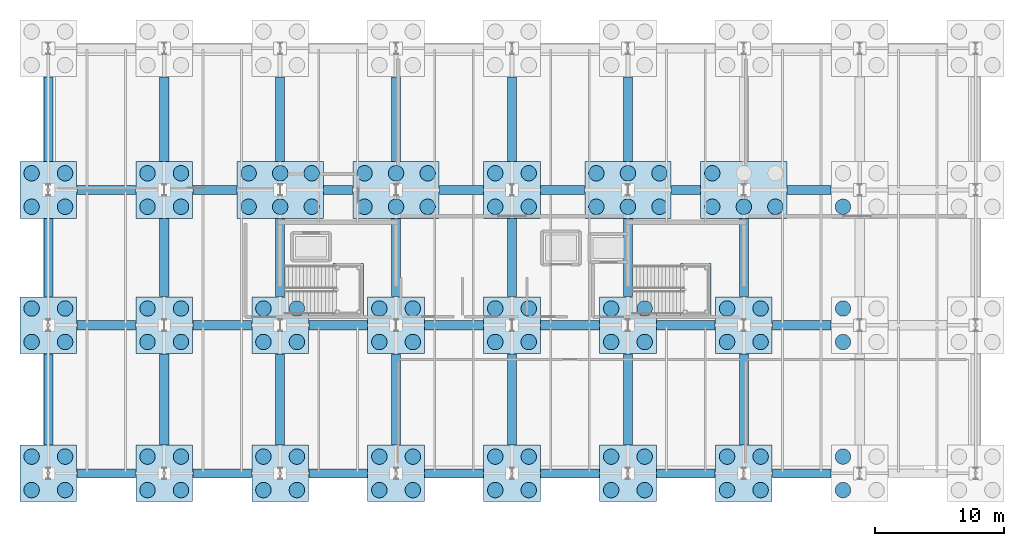
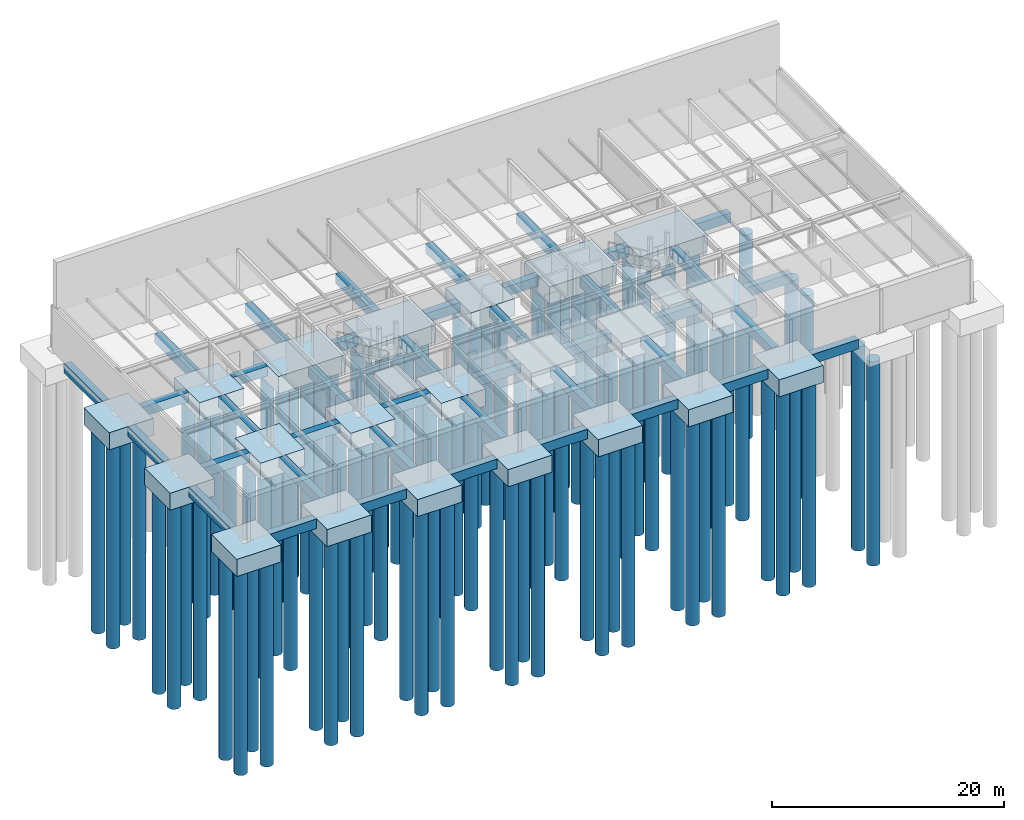
# One storey, part 1 of 19: 95 piles, 64 footings.
"""IFC4 building model written with IfcOpenShell, lengths in metres."""

from ifc_helpers import new_model, si_unit, direction, frame, origin, origin_2d, place, context, subcontext, project, spatial, rectangle, circle, extrude, material, material_profile, profile_set, type_object, element, save


model = new_model("IFC4")

# Units and contexts
model_context = context("Model", 3, precision=1e-05, world=origin(), true_north=direction((0.0, 1.0)))
body_context = subcontext(model_context, "Body", "Model", "MODEL_VIEW")
ifc_project = project(units=[si_unit("LENGTHUNIT", "METRE"), si_unit("AREAUNIT", "SQUARE_METRE"), si_unit("VOLUMEUNIT", "CUBIC_METRE"), si_unit("PLANEANGLEUNIT", "RADIAN"), si_unit("MASSUNIT", "GRAM", prefix="KILO")], contexts=[model_context])

# Site, building, storey
site_placement = place(None, origin())
site = spatial("IfcSite", under=ifc_project, at=site_placement, CompositionType="ELEMENT")
building_placement = place(site_placement, origin())
building = spatial("IfcBuilding", under=site, at=building_placement, Name="Marlcrest Central Station", CompositionType="ELEMENT")
storey_placement = place(building_placement, frame((0.0, 0.0, -4.800048828125)))
storey = spatial("IfcBuildingStorey", under=building, at=storey_placement, Name="B1", CompositionType="ELEMENT", Elevation=-4.800048828125)

# Piles
ifc_material_1 = material(Name="Concrete C35/45", Category="concrete")
ifc_material_profile = material_profile(ifc_material_1, circle(Radius=0.60009765625, at=origin_2d()), Name="PILE D1200")
ifc_profile_set = profile_set([ifc_material_profile], Name="Concrete C35/45")
pile_type = type_object("IfcPileType", Name="BP-04", PredefinedType="BORED", material=ifc_profile_set)
for number, where, z_axis, x_axis, name in (
    (1, (-1.300048828125, 97.699951171875, -1.699951171875), (0.0, 0.0, -1.0), (1.0, 0.0, 0.0), "pile-BP-04-0001"),
    (2, (1.300048828125, 97.699951171875, -1.699951171875), (0.0, 0.0, -1.0), (1.0, 0.0, 0.0), "pile-BP-04-0002"),
    (3, (-1.300048828125, 100.300048828125, -1.699951171875), (0.0, 0.0, -1.0), (1.0, 0.0, 0.0), "pile-BP-04-0003"),
    (4, (1.300048828125, 100.300048828125, -1.699951171875), (0.0, 0.0, -1.0), (1.0, 0.0, 0.0), "pile-BP-04-0004"),
    (5, (-1.300048828125, 109.199951171875, -1.699951171875), (0.0, 0.0, -1.0), (1.0, 0.0, 0.0), "pile-BP-04-0005"),
    (6, (1.300048828125, 109.199951171875, -1.699951171875), (0.0, 0.0, -1.0), (1.0, 0.0, 0.0), "pile-BP-04-0006"),
    (7, (-1.300048828125, 111.800048828125, -1.699951171875), (0.0, 0.0, -1.0), (1.0, 0.0, 0.0), "pile-BP-04-0007"),
    (8, (1.300048828125, 111.800048828125, -1.699951171875), (0.0, 0.0, -1.0), (1.0, 0.0, 0.0), "pile-BP-04-0008"),
    (9, (-1.300048828125, 119.699951171875, -1.699951171875), (0.0, 0.0, -1.0), (1.0, 0.0, 0.0), "pile-BP-04-0009"),
    (10, (1.300048828125, 119.699951171875, -1.699951171875), (0.0, 0.0, -1.0), (1.0, 0.0, 0.0), "pile-BP-04-0010"),
    (11, (-1.300048828125, 122.300048828125, -1.699951171875), (0.0, 0.0, -1.0), (1.0, 0.0, 0.0), "pile-BP-04-0011"),
    (12, (1.300048828125, 122.300048828125, -1.699951171875), (0.0, 0.0, -1.0), (1.0, 0.0, 0.0), "pile-BP-04-0012"),
    (13, (7.699951171875, 97.699951171875, -1.699951171875), (0.0, 0.0, -1.0), (1.0, 0.0, 0.0), "pile-BP-04-0017"),
    (14, (10.300048828125, 97.699951171875, -1.699951171875), (0.0, 0.0, -1.0), (1.0, 0.0, 0.0), "pile-BP-04-0018"),
    (15, (7.699951171875, 100.300048828125, -1.699951171875), (0.0, 0.0, -1.0), (1.0, 0.0, 0.0), "pile-BP-04-0019"),
    (16, (10.300048828125, 100.300048828125, -1.699951171875), (0.0, 0.0, -1.0), (1.0, 0.0, 0.0), "pile-BP-04-0020"),
    (17, (7.699951171875, 109.199951171875, -1.699951171875), (0.0, 0.0, -1.0), (1.0, 0.0, 0.0), "pile-BP-04-0021"),
    (18, (10.300048828125, 109.199951171875, -1.699951171875), (0.0, 0.0, -1.0), (1.0, 0.0, 0.0), "pile-BP-04-0022"),
    (19, (7.699951171875, 111.800048828125, -1.699951171875), (0.0, 0.0, -1.0), (1.0, 0.0, 0.0), "pile-BP-04-0023"),
    (20, (10.300048828125, 111.800048828125, -1.699951171875), (0.0, 0.0, -1.0), (1.0, 0.0, 0.0), "pile-BP-04-0024"),
    (21, (7.699951171875, 119.699951171875, -1.699951171875), (0.0, 0.0, -1.0), (1.0, 0.0, 0.0), "pile-BP-04-0025"),
    (22, (10.300048828125, 119.699951171875, -1.699951171875), (0.0, 0.0, -1.0), (1.0, 0.0, 0.0), "pile-BP-04-0026"),
    (23, (7.699951171875, 122.300048828125, -1.699951171875), (0.0, 0.0, -1.0), (1.0, 0.0, 0.0), "pile-BP-04-0027"),
    (24, (10.300048828125, 122.300048828125, -1.699951171875), (0.0, 0.0, -1.0), (1.0, 0.0, 0.0), "pile-BP-04-0028"),
    (25, (16.699951171875, 97.699951171875, -1.699951171875), (0.0, 0.0, -1.0), (1.0, 0.0, 0.0), "pile-BP-04-0033"),
    (26, (19.300048828125, 97.699951171875, -1.699951171875), (0.0, 0.0, -1.0), (1.0, 0.0, 0.0), "pile-BP-04-0034"),
    (27, (16.699951171875, 100.300048828125, -1.699951171875), (0.0, 0.0, -1.0), (1.0, 0.0, 0.0), "pile-BP-04-0035"),
    (28, (19.300048828125, 100.300048828125, -1.699951171875), (0.0, 0.0, -1.0), (1.0, 0.0, 0.0), "pile-BP-04-0036"),
    (29, (16.699951171875, 109.199951171875, -1.699951171875), (0.0, 0.0, -1.0), (1.0, 0.0, 0.0), "pile-BP-04-0037"),
    (30, (19.300048828125, 109.199951171875, -1.699951171875), (0.0, 0.0, -1.0), (1.0, 0.0, 0.0), "pile-BP-04-0038"),
    (31, (16.699951171875, 111.800048828125, -1.699951171875), (0.0, 0.0, -1.0), (1.0, 0.0, 0.0), "pile-BP-04-0039"),
    (32, (19.300048828125, 111.800048828125, -1.699951171875), (0.0, 0.0, -1.0), (1.0, 0.0, 0.0), "pile-BP-04-0040"),
):
    element("IfcPile", number, at=place(storey_placement, frame(where, z_axis=z_axis, x_axis=x_axis)), inside=storey, type_object=pile_type, Name=name, PredefinedType="BORED", context=body_context, shape_type="SweptSolid", body=[
        extrude(circle(Radius=0.60009765625, at=origin_2d()), origin(), (0.0, 0.0, 1.0), 21.5),
    ])
for number, where, z_axis, x_axis, name in (
    (33, (15.550048828125, 119.699951171875, -1.699951171875), (0.0, 0.0, -1.0), (1.0, 0.0, 0.0), "pile-BP-04-0041"),
    (34, (18.0, 119.699951171875, -1.699951171875), (0.0, 0.0, -1.0), (1.0, 0.0, 0.0), "pile-BP-04-0042"),
    (35, (20.449951171875, 119.699951171875, -1.699951171875), (0.0, 0.0, -1.0), (1.0, 0.0, 0.0), "pile-BP-04-0043"),
    (36, (15.550048828125, 122.300048828125, -1.699951171875), (0.0, 0.0, -1.0), (1.0, 0.0, 0.0), "pile-BP-04-0044"),
    (37, (18.0, 122.300048828125, -1.699951171875), (0.0, 0.0, -1.0), (1.0, 0.0, 0.0), "pile-BP-04-0045"),
    (38, (20.449951171875, 122.300048828125, -1.699951171875), (0.0, 0.0, -1.0), (1.0, 0.0, 0.0), "pile-BP-04-0046"),
):
    element("IfcPile", number, at=place(storey_placement, frame(where, z_axis=z_axis, x_axis=x_axis)), inside=storey, type_object=pile_type, Name=name, PredefinedType="BORED", context=body_context, shape_type="SweptSolid", body=[
        extrude(circle(Radius=0.60009765625, at=origin_2d()), origin(), (0.0, 0.0, 1.0), 22.5),
    ])
for number, where, z_axis, x_axis, name in (
    (39, (25.699951171875, 97.699951171875, -1.699951171875), (0.0, 0.0, -1.0), (1.0, 0.0, 0.0), "pile-BP-04-0051"),
    (40, (28.300048828125, 97.699951171875, -1.699951171875), (0.0, 0.0, -1.0), (1.0, 0.0, 0.0), "pile-BP-04-0052"),
    (41, (25.699951171875, 100.300048828125, -1.699951171875), (0.0, 0.0, -1.0), (1.0, 0.0, 0.0), "pile-BP-04-0053"),
    (42, (28.300048828125, 100.300048828125, -1.699951171875), (0.0, 0.0, -1.0), (1.0, 0.0, 0.0), "pile-BP-04-0054"),
    (43, (25.699951171875, 109.199951171875, -1.699951171875), (0.0, 0.0, -1.0), (1.0, 0.0, 0.0), "pile-BP-04-0055"),
    (44, (28.300048828125, 109.199951171875, -1.699951171875), (0.0, 0.0, -1.0), (1.0, 0.0, 0.0), "pile-BP-04-0056"),
    (45, (25.699951171875, 111.800048828125, -1.699951171875), (0.0, 0.0, -1.0), (1.0, 0.0, 0.0), "pile-BP-04-0057"),
    (46, (28.300048828125, 111.800048828125, -1.699951171875), (0.0, 0.0, -1.0), (1.0, 0.0, 0.0), "pile-BP-04-0058"),
):
    element("IfcPile", number, at=place(storey_placement, frame(where, z_axis=z_axis, x_axis=x_axis)), inside=storey, type_object=pile_type, Name=name, PredefinedType="BORED", context=body_context, shape_type="SweptSolid", body=[
        extrude(circle(Radius=0.60009765625, at=origin_2d()), origin(), (0.0, 0.0, 1.0), 21.5),
    ])
for number, where, z_axis, x_axis, name in (
    (47, (24.550048828125, 119.699951171875, -1.699951171875), (0.0, 0.0, -1.0), (1.0, 0.0, 0.0), "pile-BP-04-0059"),
    (48, (27.0, 119.699951171875, -1.699951171875), (0.0, 0.0, -1.0), (1.0, 0.0, 0.0), "pile-BP-04-0060"),
    (49, (29.449951171875, 119.699951171875, -1.699951171875), (0.0, 0.0, -1.0), (1.0, 0.0, 0.0), "pile-BP-04-0061"),
    (50, (24.550048828125, 122.300048828125, -1.699951171875), (0.0, 0.0, -1.0), (1.0, 0.0, 0.0), "pile-BP-04-0062"),
    (51, (27.0, 122.300048828125, -1.699951171875), (0.0, 0.0, -1.0), (1.0, 0.0, 0.0), "pile-BP-04-0063"),
    (52, (29.449951171875, 122.300048828125, -1.699951171875), (0.0, 0.0, -1.0), (1.0, 0.0, 0.0), "pile-BP-04-0064"),
):
    element("IfcPile", number, at=place(storey_placement, frame(where, z_axis=z_axis, x_axis=x_axis)), inside=storey, type_object=pile_type, Name=name, PredefinedType="BORED", context=body_context, shape_type="SweptSolid", body=[
        extrude(circle(Radius=0.60009765625, at=origin_2d()), origin(), (0.0, 0.0, 1.0), 22.5),
    ])
for number, where, z_axis, x_axis, name in (
    (53, (34.699951171875, 97.699951171875, -1.699951171875), (0.0, 0.0, -1.0), (1.0, 0.0, 0.0), "pile-BP-04-0069"),
    (54, (37.300048828125, 97.699951171875, -1.699951171875), (0.0, 0.0, -1.0), (1.0, 0.0, 0.0), "pile-BP-04-0070"),
    (55, (34.699951171875, 100.300048828125, -1.699951171875), (0.0, 0.0, -1.0), (1.0, 0.0, 0.0), "pile-BP-04-0071"),
    (56, (37.300048828125, 100.300048828125, -1.699951171875), (0.0, 0.0, -1.0), (1.0, 0.0, 0.0), "pile-BP-04-0072"),
    (57, (34.699951171875, 109.199951171875, -1.699951171875), (0.0, 0.0, -1.0), (1.0, 0.0, 0.0), "pile-BP-04-0073"),
    (58, (37.300048828125, 109.199951171875, -1.699951171875), (0.0, 0.0, -1.0), (1.0, 0.0, 0.0), "pile-BP-04-0074"),
    (59, (34.699951171875, 111.800048828125, -1.699951171875), (0.0, 0.0, -1.0), (1.0, 0.0, 0.0), "pile-BP-04-0075"),
    (60, (37.300048828125, 111.800048828125, -1.699951171875), (0.0, 0.0, -1.0), (1.0, 0.0, 0.0), "pile-BP-04-0076"),
    (61, (34.699951171875, 119.699951171875, -1.699951171875), (0.0, 0.0, -1.0), (1.0, 0.0, 0.0), "pile-BP-04-0077"),
    (62, (37.300048828125, 119.699951171875, -1.699951171875), (0.0, 0.0, -1.0), (1.0, 0.0, 0.0), "pile-BP-04-0078"),
    (63, (34.699951171875, 122.300048828125, -1.699951171875), (0.0, 0.0, -1.0), (1.0, 0.0, 0.0), "pile-BP-04-0079"),
    (64, (37.300048828125, 122.300048828125, -1.699951171875), (0.0, 0.0, -1.0), (1.0, 0.0, 0.0), "pile-BP-04-0080"),
    (65, (43.699951171875, 97.699951171875, -1.699951171875), (0.0, 0.0, -1.0), (1.0, 0.0, 0.0), "pile-BP-04-0085"),
    (66, (46.300048828125, 97.699951171875, -1.699951171875), (0.0, 0.0, -1.0), (1.0, 0.0, 0.0), "pile-BP-04-0086"),
    (67, (43.699951171875, 100.300048828125, -1.699951171875), (0.0, 0.0, -1.0), (1.0, 0.0, 0.0), "pile-BP-04-0087"),
    (68, (46.300048828125, 100.300048828125, -1.699951171875), (0.0, 0.0, -1.0), (1.0, 0.0, 0.0), "pile-BP-04-0088"),
    (69, (43.699951171875, 109.199951171875, -1.699951171875), (0.0, 0.0, -1.0), (1.0, 0.0, 0.0), "pile-BP-04-0089"),
    (70, (46.300048828125, 109.199951171875, -1.699951171875), (0.0, 0.0, -1.0), (1.0, 0.0, 0.0), "pile-BP-04-0090"),
    (71, (43.699951171875, 111.800048828125, -1.699951171875), (0.0, 0.0, -1.0), (1.0, 0.0, 0.0), "pile-BP-04-0091"),
    (72, (46.300048828125, 111.800048828125, -1.699951171875), (0.0, 0.0, -1.0), (1.0, 0.0, 0.0), "pile-BP-04-0092"),
):
    element("IfcPile", number, at=place(storey_placement, frame(where, z_axis=z_axis, x_axis=x_axis)), inside=storey, type_object=pile_type, Name=name, PredefinedType="BORED", context=body_context, shape_type="SweptSolid", body=[
        extrude(circle(Radius=0.60009765625, at=origin_2d()), origin(), (0.0, 0.0, 1.0), 21.5),
    ])
for number, where, z_axis, x_axis, name in (
    (73, (42.550048828125, 119.699951171875, -1.699951171875), (0.0, 0.0, -1.0), (1.0, 0.0, 0.0), "pile-BP-04-0093"),
    (74, (45.0, 119.699951171875, -1.699951171875), (0.0, 0.0, -1.0), (1.0, 0.0, 0.0), "pile-BP-04-0094"),
    (75, (47.449951171875, 119.699951171875, -1.699951171875), (0.0, 0.0, -1.0), (1.0, 0.0, 0.0), "pile-BP-04-0095"),
    (76, (42.550048828125, 122.300048828125, -1.699951171875), (0.0, 0.0, -1.0), (1.0, 0.0, 0.0), "pile-BP-04-0096"),
    (77, (45.0, 122.300048828125, -1.699951171875), (0.0, 0.0, -1.0), (1.0, 0.0, 0.0), "pile-BP-04-0097"),
    (78, (47.449951171875, 122.300048828125, -1.699951171875), (0.0, 0.0, -1.0), (1.0, 0.0, 0.0), "pile-BP-04-0098"),
):
    element("IfcPile", number, at=place(storey_placement, frame(where, z_axis=z_axis, x_axis=x_axis)), inside=storey, type_object=pile_type, Name=name, PredefinedType="BORED", context=body_context, shape_type="SweptSolid", body=[
        extrude(circle(Radius=0.60009765625, at=origin_2d()), origin(), (0.0, 0.0, 1.0), 22.5),
    ])
for number, where, z_axis, x_axis, name in (
    (79, (52.699951171875, 97.699951171875, -1.699951171875), (0.0, 0.0, -1.0), (1.0, 0.0, 0.0), "pile-BP-04-0103"),
    (80, (55.300048828125, 97.699951171875, -1.699951171875), (0.0, 0.0, -1.0), (1.0, 0.0, 0.0), "pile-BP-04-0104"),
    (81, (52.699951171875, 100.300048828125, -1.699951171875), (0.0, 0.0, -1.0), (1.0, 0.0, 0.0), "pile-BP-04-0105"),
    (82, (55.300048828125, 100.300048828125, -1.699951171875), (0.0, 0.0, -1.0), (1.0, 0.0, 0.0), "pile-BP-04-0106"),
    (83, (52.699951171875, 109.199951171875, -1.699951171875), (0.0, 0.0, -1.0), (1.0, 0.0, 0.0), "pile-BP-04-0107"),
    (84, (55.300048828125, 109.199951171875, -1.699951171875), (0.0, 0.0, -1.0), (1.0, 0.0, 0.0), "pile-BP-04-0108"),
    (85, (52.699951171875, 111.800048828125, -1.699951171875), (0.0, 0.0, -1.0), (1.0, 0.0, 0.0), "pile-BP-04-0109"),
    (86, (55.300048828125, 111.800048828125, -1.699951171875), (0.0, 0.0, -1.0), (1.0, 0.0, 0.0), "pile-BP-04-0110"),
):
    element("IfcPile", number, at=place(storey_placement, frame(where, z_axis=z_axis, x_axis=x_axis)), inside=storey, type_object=pile_type, Name=name, PredefinedType="BORED", context=body_context, shape_type="SweptSolid", body=[
        extrude(circle(Radius=0.60009765625, at=origin_2d()), origin(), (0.0, 0.0, 1.0), 21.5),
    ])
for number, where, z_axis, x_axis, name in (
    (87, (51.550048828125, 119.699951171875, -1.699951171875), (0.0, 0.0, -1.0), (1.0, 0.0, 0.0), "pile-BP-04-0111"),
    (88, (54.0, 119.699951171875, -1.699951171875), (0.0, 0.0, -1.0), (1.0, 0.0, 0.0), "pile-BP-04-0112"),
    (89, (56.449951171875, 119.699951171875, -1.699951171875), (0.0, 0.0, -1.0), (1.0, 0.0, 0.0), "pile-BP-04-0113"),
    (90, (51.550048828125, 122.300048828125, -1.699951171875), (0.0, 0.0, -1.0), (1.0, 0.0, 0.0), "pile-BP-04-0114"),
):
    element("IfcPile", number, at=place(storey_placement, frame(where, z_axis=z_axis, x_axis=x_axis)), inside=storey, type_object=pile_type, Name=name, PredefinedType="BORED", context=body_context, shape_type="SweptSolid", body=[
        extrude(circle(Radius=0.60009765625, at=origin_2d()), origin(), (0.0, 0.0, 1.0), 22.5),
    ])
for number, where, z_axis, x_axis, name in (
    (91, (61.699951171875, 97.699951171875, -1.699951171875), (0.0, 0.0, -1.0), (1.0, 0.0, 0.0), "pile-BP-04-0121"),
    (92, (61.699951171875, 100.300048828125, -1.699951171875), (0.0, 0.0, -1.0), (1.0, 0.0, 0.0), "pile-BP-04-0123"),
    (93, (61.699951171875, 109.199951171875, -1.699951171875), (0.0, 0.0, -1.0), (1.0, 0.0, 0.0), "pile-BP-04-0125"),
    (94, (61.699951171875, 111.800048828125, -1.699951171875), (0.0, 0.0, -1.0), (1.0, 0.0, 0.0), "pile-BP-04-0127"),
    (95, (61.699951171875, 119.699951171875, -1.699951171875), (0.0, 0.0, -1.0), (1.0, 0.0, 0.0), "pile-BP-04-0129"),
):
    element("IfcPile", number, at=place(storey_placement, frame(where, z_axis=z_axis, x_axis=x_axis)), inside=storey, type_object=pile_type, Name=name, PredefinedType="BORED", context=body_context, shape_type="SweptSolid", body=[
        extrude(circle(Radius=0.60009765625, at=origin_2d()), origin(), (0.0, 0.0, 1.0), 21.5),
    ])

# Footings
ifc_material_2 = material(Name="Concrete C40/50", Category="concrete")
footing_type_1 = type_object("IfcFootingType", Name="GB-02", PredefinedType="FOOTING_BEAM", material=ifc_material_2)
for number, where, z_axis, x_axis, name in (
    (96, (4.5, 99.0, -1.0), (0.0, 0.0, 1.0), (1.0, 0.0, 0.0), "ftg-gb-0001"),
    (97, (4.5, 110.5, -1.0), (0.0, 0.0, 1.0), (1.0, 0.0, 0.0), "ftg-gb-0002"),
    (98, (4.5, 121.0, -1.0), (0.0, 0.0, 1.0), (1.0, 0.0, 0.0), "ftg-gb-0003"),
    (99, (13.5, 99.0, -1.0), (0.0, 0.0, 1.0), (1.0, 0.0, 0.0), "ftg-gb-0005"),
    (100, (13.5, 110.5, -1.0), (0.0, 0.0, 1.0), (1.0, 0.0, 0.0), "ftg-gb-0006"),
):
    element("IfcFooting", number, at=place(storey_placement, frame(where, z_axis=z_axis, x_axis=x_axis)), inside=storey, type_object=footing_type_1, Name=name, PredefinedType="FOOTING_BEAM", context=body_context, shape_type="SweptSolid", body=[
        extrude(rectangle(XDim=4.56005859375, YDim=0.699951171875, at=origin_2d()), origin(), (0.0, 0.0, 1.0), 1.0),
    ])
footing_1_placement = place(storey_placement, frame((12.925048828125, 121.0, -1.0), z_axis=(0.0, 0.0, 1.0), x_axis=(1.0, 0.0, 0.0)))
element("IfcFooting", 101, at=footing_1_placement, inside=storey, type_object=footing_type_1, Name="ftg-gb-0007", PredefinedType="FOOTING_BEAM", context=body_context, shape_type="SweptSolid", body=[
    extrude(rectangle(XDim=3.409912109375, YDim=0.699951171875, at=origin_2d()), origin(), (0.0, 0.0, 1.0), 1.0),
])
for number, where, z_axis, x_axis, name in (
    (102, (22.5, 99.0, -1.0), (0.0, 0.0, 1.0), (1.0, 0.0, 0.0), "ftg-gb-0009"),
    (103, (22.5, 110.5, -1.0), (0.0, 0.0, 1.0), (1.0, 0.0, 0.0), "ftg-gb-0010"),
):
    element("IfcFooting", number, at=place(storey_placement, frame(where, z_axis=z_axis, x_axis=x_axis)), inside=storey, type_object=footing_type_1, Name=name, PredefinedType="FOOTING_BEAM", context=body_context, shape_type="SweptSolid", body=[
        extrude(rectangle(XDim=4.56005859375, YDim=0.699951171875, at=origin_2d()), origin(), (0.0, 0.0, 1.0), 1.0),
    ])
footing_2_placement = place(storey_placement, frame((22.5, 121.0, -1.0), z_axis=(0.0, 0.0, 1.0), x_axis=(1.0, 0.0, 0.0)))
element("IfcFooting", 104, at=footing_2_placement, inside=storey, type_object=footing_type_1, Name="ftg-gb-0011", PredefinedType="FOOTING_BEAM", context=body_context, shape_type="SweptSolid", body=[
    extrude(rectangle(XDim=2.260009765625, YDim=0.699951171875, at=origin_2d()), origin(), (0.0, 0.0, 1.0), 1.0),
])
for number, where, z_axis, x_axis, name in (
    (105, (31.5, 99.0, -1.0), (0.0, 0.0, 1.0), (1.0, 0.0, 0.0), "ftg-gb-0013"),
    (106, (31.5, 110.5, -1.0), (0.0, 0.0, 1.0), (1.0, 0.0, 0.0), "ftg-gb-0014"),
):
    element("IfcFooting", number, at=place(storey_placement, frame(where, z_axis=z_axis, x_axis=x_axis)), inside=storey, type_object=footing_type_1, Name=name, PredefinedType="FOOTING_BEAM", context=body_context, shape_type="SweptSolid", body=[
        extrude(rectangle(XDim=4.56005859375, YDim=0.699951171875, at=origin_2d()), origin(), (0.0, 0.0, 1.0), 1.0),
    ])
footing_3_placement = place(storey_placement, frame((32.074951171875, 121.0, -1.0), z_axis=(0.0, 0.0, 1.0), x_axis=(1.0, 0.0, 0.0)))
element("IfcFooting", 107, at=footing_3_placement, inside=storey, type_object=footing_type_1, Name="ftg-gb-0015", PredefinedType="FOOTING_BEAM", context=body_context, shape_type="SweptSolid", body=[
    extrude(rectangle(XDim=3.409912109375, YDim=0.699951171875, at=origin_2d()), origin(), (0.0, 0.0, 1.0), 1.0),
])
for number, where, z_axis, x_axis, name in (
    (108, (40.5, 99.0, -1.0), (0.0, 0.0, 1.0), (1.0, 0.0, 0.0), "ftg-gb-0017"),
    (109, (40.5, 110.5, -1.0), (0.0, 0.0, 1.0), (1.0, 0.0, 0.0), "ftg-gb-0018"),
):
    element("IfcFooting", number, at=place(storey_placement, frame(where, z_axis=z_axis, x_axis=x_axis)), inside=storey, type_object=footing_type_1, Name=name, PredefinedType="FOOTING_BEAM", context=body_context, shape_type="SweptSolid", body=[
        extrude(rectangle(XDim=4.56005859375, YDim=0.699951171875, at=origin_2d()), origin(), (0.0, 0.0, 1.0), 1.0),
    ])
footing_4_placement = place(storey_placement, frame((39.925048828125, 121.0, -1.0), z_axis=(0.0, 0.0, 1.0), x_axis=(1.0, 0.0, 0.0)))
element("IfcFooting", 110, at=footing_4_placement, inside=storey, type_object=footing_type_1, Name="ftg-gb-0019", PredefinedType="FOOTING_BEAM", context=body_context, shape_type="SweptSolid", body=[
    extrude(rectangle(XDim=3.409912109375, YDim=0.699951171875, at=origin_2d()), origin(), (0.0, 0.0, 1.0), 1.0),
])
for number, where, z_axis, x_axis, name in (
    (111, (49.5, 99.0, -1.0), (0.0, 0.0, 1.0), (1.0, 0.0, 0.0), "ftg-gb-0021"),
    (112, (49.5, 110.5, -1.0), (0.0, 0.0, 1.0), (1.0, 0.0, 0.0), "ftg-gb-0022"),
):
    element("IfcFooting", number, at=place(storey_placement, frame(where, z_axis=z_axis, x_axis=x_axis)), inside=storey, type_object=footing_type_1, Name=name, PredefinedType="FOOTING_BEAM", context=body_context, shape_type="SweptSolid", body=[
        extrude(rectangle(XDim=4.56005859375, YDim=0.699951171875, at=origin_2d()), origin(), (0.0, 0.0, 1.0), 1.0),
    ])
footing_5_placement = place(storey_placement, frame((49.5, 121.0, -1.0), z_axis=(0.0, 0.0, 1.0), x_axis=(1.0, 0.0, 0.0)))
element("IfcFooting", 113, at=footing_5_placement, inside=storey, type_object=footing_type_1, Name="ftg-gb-0023", PredefinedType="FOOTING_BEAM", context=body_context, shape_type="SweptSolid", body=[
    extrude(rectangle(XDim=2.260009765625, YDim=0.699951171875, at=origin_2d()), origin(), (0.0, 0.0, 1.0), 1.0),
])
for number, where, z_axis, x_axis, name in (
    (114, (58.5, 99.0, -1.0), (0.0, 0.0, 1.0), (1.0, 0.0, 0.0), "ftg-gb-0025"),
    (115, (58.5, 110.5, -1.0), (0.0, 0.0, 1.0), (1.0, 0.0, 0.0), "ftg-gb-0026"),
):
    element("IfcFooting", number, at=place(storey_placement, frame(where, z_axis=z_axis, x_axis=x_axis)), inside=storey, type_object=footing_type_1, Name=name, PredefinedType="FOOTING_BEAM", context=body_context, shape_type="SweptSolid", body=[
        extrude(rectangle(XDim=4.56005859375, YDim=0.699951171875, at=origin_2d()), origin(), (0.0, 0.0, 1.0), 1.0),
    ])
footing_6_placement = place(storey_placement, frame((59.074951171875, 121.0, -1.0), z_axis=(0.0, 0.0, 1.0), x_axis=(1.0, 0.0, 0.0)))
element("IfcFooting", 116, at=footing_6_placement, inside=storey, type_object=footing_type_1, Name="ftg-gb-0027", PredefinedType="FOOTING_BEAM", context=body_context, shape_type="SweptSolid", body=[
    extrude(rectangle(XDim=3.409912109375, YDim=0.699951171875, at=origin_2d()), origin(), (0.0, 0.0, 1.0), 1.0),
])
footing_7_placement = place(storey_placement, frame((0.0, 104.75, -1.0), z_axis=(0.0, 0.0, 1.0), x_axis=(1.0, 0.0, 0.0)))
element("IfcFooting", 117, at=footing_7_placement, inside=storey, type_object=footing_type_1, Name="ftg-gb-0033", PredefinedType="FOOTING_BEAM", context=body_context, shape_type="SweptSolid", body=[
    extrude(rectangle(XDim=0.699951171875, YDim=7.06005859375, at=origin_2d()), origin(), (0.0, 0.0, 1.0), 1.0),
])
footing_8_placement = place(storey_placement, frame((0.0, 115.75, -1.0), z_axis=(0.0, 0.0, 1.0), x_axis=(1.0, 0.0, 0.0)))
element("IfcFooting", 118, at=footing_8_placement, inside=storey, type_object=footing_type_1, Name="ftg-gb-0034", PredefinedType="FOOTING_BEAM", context=body_context, shape_type="SweptSolid", body=[
    extrude(rectangle(XDim=0.699951171875, YDim=6.06005859375, at=origin_2d()), origin(), (0.0, 0.0, 1.0), 1.0),
])
footing_9_placement = place(storey_placement, frame((0.0, 126.5, -1.0), z_axis=(0.0, 0.0, 1.0), x_axis=(1.0, 0.0, 0.0)))
element("IfcFooting", 119, at=footing_9_placement, inside=storey, type_object=footing_type_1, Name="ftg-gb-0035", PredefinedType="FOOTING_BEAM", context=body_context, shape_type="SweptSolid", body=[
    extrude(rectangle(XDim=0.699951171875, YDim=6.56005859375, at=origin_2d()), origin(), (0.0, 0.0, 1.0), 1.0),
])
footing_10_placement = place(storey_placement, frame((9.0, 104.75, -1.0), z_axis=(0.0, 0.0, 1.0), x_axis=(1.0, 0.0, 0.0)))
element("IfcFooting", 120, at=footing_10_placement, inside=storey, type_object=footing_type_1, Name="ftg-gb-0036", PredefinedType="FOOTING_BEAM", context=body_context, shape_type="SweptSolid", body=[
    extrude(rectangle(XDim=0.699951171875, YDim=7.06005859375, at=origin_2d()), origin(), (0.0, 0.0, 1.0), 1.0),
])
footing_11_placement = place(storey_placement, frame((9.0, 115.75, -1.0), z_axis=(0.0, 0.0, 1.0), x_axis=(1.0, 0.0, 0.0)))
element("IfcFooting", 121, at=footing_11_placement, inside=storey, type_object=footing_type_1, Name="ftg-gb-0037", PredefinedType="FOOTING_BEAM", context=body_context, shape_type="SweptSolid", body=[
    extrude(rectangle(XDim=0.699951171875, YDim=6.06005859375, at=origin_2d()), origin(), (0.0, 0.0, 1.0), 1.0),
])
footing_12_placement = place(storey_placement, frame((9.0, 126.5, -1.0), z_axis=(0.0, 0.0, 1.0), x_axis=(1.0, 0.0, 0.0)))
element("IfcFooting", 122, at=footing_12_placement, inside=storey, type_object=footing_type_1, Name="ftg-gb-0038", PredefinedType="FOOTING_BEAM", context=body_context, shape_type="SweptSolid", body=[
    extrude(rectangle(XDim=0.699951171875, YDim=6.56005859375, at=origin_2d()), origin(), (0.0, 0.0, 1.0), 1.0),
])
footing_13_placement = place(storey_placement, frame((18.0, 104.75, -1.0), z_axis=(0.0, 0.0, 1.0), x_axis=(1.0, 0.0, 0.0)))
element("IfcFooting", 123, at=footing_13_placement, inside=storey, type_object=footing_type_1, Name="ftg-gb-0039", PredefinedType="FOOTING_BEAM", context=body_context, shape_type="SweptSolid", body=[
    extrude(rectangle(XDim=0.699951171875, YDim=7.06005859375, at=origin_2d()), origin(), (0.0, 0.0, 1.0), 1.0),
])
footing_14_placement = place(storey_placement, frame((18.0, 115.75, -1.0), z_axis=(0.0, 0.0, 1.0), x_axis=(1.0, 0.0, 0.0)))
element("IfcFooting", 124, at=footing_14_placement, inside=storey, type_object=footing_type_1, Name="ftg-gb-0040", PredefinedType="FOOTING_BEAM", context=body_context, shape_type="SweptSolid", body=[
    extrude(rectangle(XDim=0.699951171875, YDim=6.06005859375, at=origin_2d()), origin(), (0.0, 0.0, 1.0), 1.0),
])
footing_15_placement = place(storey_placement, frame((18.0, 126.5, -1.0), z_axis=(0.0, 0.0, 1.0), x_axis=(1.0, 0.0, 0.0)))
element("IfcFooting", 125, at=footing_15_placement, inside=storey, type_object=footing_type_1, Name="ftg-gb-0041", PredefinedType="FOOTING_BEAM", context=body_context, shape_type="SweptSolid", body=[
    extrude(rectangle(XDim=0.699951171875, YDim=6.56005859375, at=origin_2d()), origin(), (0.0, 0.0, 1.0), 1.0),
])
footing_16_placement = place(storey_placement, frame((27.0, 104.75, -1.0), z_axis=(0.0, 0.0, 1.0), x_axis=(1.0, 0.0, 0.0)))
element("IfcFooting", 126, at=footing_16_placement, inside=storey, type_object=footing_type_1, Name="ftg-gb-0042", PredefinedType="FOOTING_BEAM", context=body_context, shape_type="SweptSolid", body=[
    extrude(rectangle(XDim=0.699951171875, YDim=7.06005859375, at=origin_2d()), origin(), (0.0, 0.0, 1.0), 1.0),
])
footing_17_placement = place(storey_placement, frame((27.0, 115.75, -1.0), z_axis=(0.0, 0.0, 1.0), x_axis=(1.0, 0.0, 0.0)))
element("IfcFooting", 127, at=footing_17_placement, inside=storey, type_object=footing_type_1, Name="ftg-gb-0043", PredefinedType="FOOTING_BEAM", context=body_context, shape_type="SweptSolid", body=[
    extrude(rectangle(XDim=0.699951171875, YDim=6.06005859375, at=origin_2d()), origin(), (0.0, 0.0, 1.0), 1.0),
])
footing_18_placement = place(storey_placement, frame((27.0, 126.5, -1.0), z_axis=(0.0, 0.0, 1.0), x_axis=(1.0, 0.0, 0.0)))
element("IfcFooting", 128, at=footing_18_placement, inside=storey, type_object=footing_type_1, Name="ftg-gb-0044", PredefinedType="FOOTING_BEAM", context=body_context, shape_type="SweptSolid", body=[
    extrude(rectangle(XDim=0.699951171875, YDim=6.56005859375, at=origin_2d()), origin(), (0.0, 0.0, 1.0), 1.0),
])
footing_19_placement = place(storey_placement, frame((36.0, 104.75, -1.0), z_axis=(0.0, 0.0, 1.0), x_axis=(1.0, 0.0, 0.0)))
element("IfcFooting", 129, at=footing_19_placement, inside=storey, type_object=footing_type_1, Name="ftg-gb-0045", PredefinedType="FOOTING_BEAM", context=body_context, shape_type="SweptSolid", body=[
    extrude(rectangle(XDim=0.699951171875, YDim=7.06005859375, at=origin_2d()), origin(), (0.0, 0.0, 1.0), 1.0),
])
footing_20_placement = place(storey_placement, frame((36.0, 115.75, -1.0), z_axis=(0.0, 0.0, 1.0), x_axis=(1.0, 0.0, 0.0)))
element("IfcFooting", 130, at=footing_20_placement, inside=storey, type_object=footing_type_1, Name="ftg-gb-0046", PredefinedType="FOOTING_BEAM", context=body_context, shape_type="SweptSolid", body=[
    extrude(rectangle(XDim=0.699951171875, YDim=6.06005859375, at=origin_2d()), origin(), (0.0, 0.0, 1.0), 1.0),
])
footing_21_placement = place(storey_placement, frame((36.0, 126.5, -1.0), z_axis=(0.0, 0.0, 1.0), x_axis=(1.0, 0.0, 0.0)))
element("IfcFooting", 131, at=footing_21_placement, inside=storey, type_object=footing_type_1, Name="ftg-gb-0047", PredefinedType="FOOTING_BEAM", context=body_context, shape_type="SweptSolid", body=[
    extrude(rectangle(XDim=0.699951171875, YDim=6.56005859375, at=origin_2d()), origin(), (0.0, 0.0, 1.0), 1.0),
])
footing_22_placement = place(storey_placement, frame((45.0, 104.75, -1.0), z_axis=(0.0, 0.0, 1.0), x_axis=(1.0, 0.0, 0.0)))
element("IfcFooting", 132, at=footing_22_placement, inside=storey, type_object=footing_type_1, Name="ftg-gb-0048", PredefinedType="FOOTING_BEAM", context=body_context, shape_type="SweptSolid", body=[
    extrude(rectangle(XDim=0.699951171875, YDim=7.06005859375, at=origin_2d()), origin(), (0.0, 0.0, 1.0), 1.0),
])
footing_23_placement = place(storey_placement, frame((45.0, 115.75, -1.0), z_axis=(0.0, 0.0, 1.0), x_axis=(1.0, 0.0, 0.0)))
element("IfcFooting", 133, at=footing_23_placement, inside=storey, type_object=footing_type_1, Name="ftg-gb-0049", PredefinedType="FOOTING_BEAM", context=body_context, shape_type="SweptSolid", body=[
    extrude(rectangle(XDim=0.699951171875, YDim=6.06005859375, at=origin_2d()), origin(), (0.0, 0.0, 1.0), 1.0),
])
footing_24_placement = place(storey_placement, frame((45.0, 126.5, -1.0), z_axis=(0.0, 0.0, 1.0), x_axis=(1.0, 0.0, 0.0)))
element("IfcFooting", 134, at=footing_24_placement, inside=storey, type_object=footing_type_1, Name="ftg-gb-0050", PredefinedType="FOOTING_BEAM", context=body_context, shape_type="SweptSolid", body=[
    extrude(rectangle(XDim=0.699951171875, YDim=6.56005859375, at=origin_2d()), origin(), (0.0, 0.0, 1.0), 1.0),
])
footing_25_placement = place(storey_placement, frame((54.0, 104.75, -1.0), z_axis=(0.0, 0.0, 1.0), x_axis=(1.0, 0.0, 0.0)))
element("IfcFooting", 135, at=footing_25_placement, inside=storey, type_object=footing_type_1, Name="ftg-gb-0051", PredefinedType="FOOTING_BEAM", context=body_context, shape_type="SweptSolid", body=[
    extrude(rectangle(XDim=0.699951171875, YDim=7.06005859375, at=origin_2d()), origin(), (0.0, 0.0, 1.0), 1.0),
])
footing_26_placement = place(storey_placement, frame((54.0, 115.75, -1.0), z_axis=(0.0, 0.0, 1.0), x_axis=(1.0, 0.0, 0.0)))
element("IfcFooting", 136, at=footing_26_placement, inside=storey, type_object=footing_type_1, Name="ftg-gb-0052", PredefinedType="FOOTING_BEAM", context=body_context, shape_type="SweptSolid", body=[
    extrude(rectangle(XDim=0.699951171875, YDim=6.06005859375, at=origin_2d()), origin(), (0.0, 0.0, 1.0), 1.0),
])
footing_type_2 = type_object("IfcFootingType", Name="PC-04", PredefinedType="PILE_CAP", material=ifc_material_2)
for number, where, z_axis, x_axis, name in (
    (137, (0.0, 99.0, -1.7998046875), (0.0, 0.0, 1.0), (1.0, 0.0, 0.0), "ftg-cap-0001"),
    (138, (0.0, 110.5, -1.7998046875), (0.0, 0.0, 1.0), (1.0, 0.0, 0.0), "ftg-cap-0002"),
    (139, (0.0, 121.0, -1.7998046875), (0.0, 0.0, 1.0), (1.0, 0.0, 0.0), "ftg-cap-0003"),
    (140, (9.0, 99.0, -1.7998046875), (0.0, 0.0, 1.0), (1.0, 0.0, 0.0), "ftg-cap-0005"),
    (141, (9.0, 110.5, -1.7998046875), (0.0, 0.0, 1.0), (1.0, 0.0, 0.0), "ftg-cap-0006"),
    (142, (9.0, 121.0, -1.7998046875), (0.0, 0.0, 1.0), (1.0, 0.0, 0.0), "ftg-cap-0007"),
    (143, (18.0, 99.0, -1.7998046875), (0.0, 0.0, 1.0), (1.0, 0.0, 0.0), "ftg-cap-0009"),
    (144, (18.0, 110.5, -1.7998046875), (0.0, 0.0, 1.0), (1.0, 0.0, 0.0), "ftg-cap-0010"),
    (145, (27.0, 99.0, -1.7998046875), (0.0, 0.0, 1.0), (1.0, 0.0, 0.0), "ftg-cap-0013"),
    (146, (27.0, 110.5, -1.7998046875), (0.0, 0.0, 1.0), (1.0, 0.0, 0.0), "ftg-cap-0014"),
    (147, (36.0, 99.0, -1.7998046875), (0.0, 0.0, 1.0), (1.0, 0.0, 0.0), "ftg-cap-0017"),
    (148, (36.0, 110.5, -1.7998046875), (0.0, 0.0, 1.0), (1.0, 0.0, 0.0), "ftg-cap-0018"),
    (149, (36.0, 121.0, -1.7998046875), (0.0, 0.0, 1.0), (1.0, 0.0, 0.0), "ftg-cap-0019"),
    (150, (45.0, 99.0, -1.7998046875), (0.0, 0.0, 1.0), (1.0, 0.0, 0.0), "ftg-cap-0021"),
    (151, (45.0, 110.5, -1.7998046875), (0.0, 0.0, 1.0), (1.0, 0.0, 0.0), "ftg-cap-0022"),
    (152, (54.0, 99.0, -1.7998046875), (0.0, 0.0, 1.0), (1.0, 0.0, 0.0), "ftg-cap-0025"),
    (153, (54.0, 110.5, -1.7998046875), (0.0, 0.0, 1.0), (1.0, 0.0, 0.0), "ftg-cap-0026"),
):
    element("IfcFooting", number, at=place(storey_placement, frame(where, z_axis=z_axis, x_axis=x_axis)), inside=storey, type_object=footing_type_2, Name=name, PredefinedType="PILE_CAP", context=body_context, shape_type="SweptSolid", body=[
        extrude(rectangle(XDim=4.39990234375, YDim=4.39990234375, at=origin_2d()), origin(), (0.0, 0.0, 1.0), 1.800048828125),
    ])
footing_type_3 = type_object("IfcFootingType", Name="PC-05", PredefinedType="PILE_CAP", material=ifc_material_2)
for number, where, z_axis, x_axis, name in (
    (154, (18.0, 121.0, -1.7998046875), (0.0, 0.0, 1.0), (1.0, 0.0, 0.0), "ftg-cap-0011"),
    (155, (27.0, 121.0, -1.7998046875), (0.0, 0.0, 1.0), (1.0, 0.0, 0.0), "ftg-cap-0015"),
    (156, (45.0, 121.0, -1.7998046875), (0.0, 0.0, 1.0), (1.0, 0.0, 0.0), "ftg-cap-0023"),
    (157, (54.0, 121.0, -1.7998046875), (0.0, 0.0, 1.0), (1.0, 0.0, 0.0), "ftg-cap-0027"),
):
    element("IfcFooting", number, at=place(storey_placement, frame(where, z_axis=z_axis, x_axis=x_axis)), inside=storey, type_object=footing_type_3, Name=name, PredefinedType="PILE_CAP", context=body_context, shape_type="SweptSolid", body=[
        extrude(rectangle(XDim=6.699951171875, YDim=4.39990234375, at=origin_2d()), origin(), (0.0, 0.0, 1.0), 1.800048828125),
    ])
footing_type_4 = type_object("IfcFootingType", Name="PF-04", PredefinedType="PAD_FOOTING", material=ifc_material_2)
for number, where, z_axis, x_axis, name in (
    (158, (23.280029296875, 113.25, -0.60009765625), (0.0, 0.0, 1.0), (1.0, 0.0, 0.0), "htftg-b1-mat-0042"),
    (159, (50.280029296875, 113.25, -0.60009765625), (0.0, 0.0, 1.0), (1.0, 0.0, 0.0), "htftg-b1-mat-0043"),
):
    element("IfcFooting", number, at=place(storey_placement, frame(where, z_axis=z_axis, x_axis=x_axis)), inside=storey, type_object=footing_type_4, Name=name, PredefinedType="PAD_FOOTING", context=body_context, shape_type="SweptSolid", body=[
        extrude(rectangle(XDim=2.360107421875, YDim=4.1201171875, at=origin_2d()), origin(), (0.0, 0.0, 1.0), 0.60009765625),
    ])

save(model, "model.ifc")
